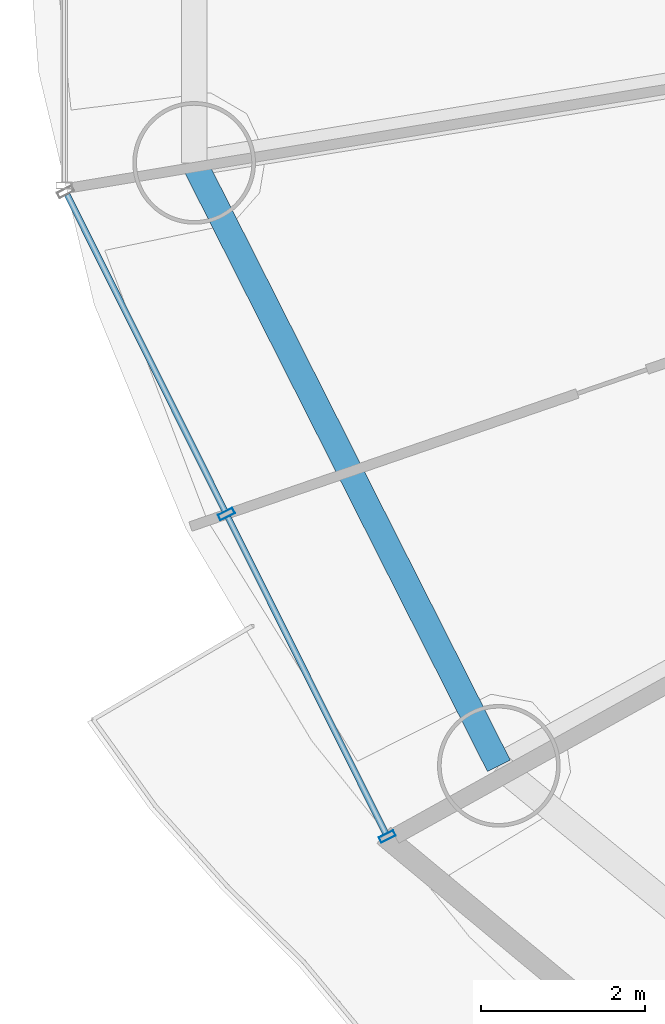
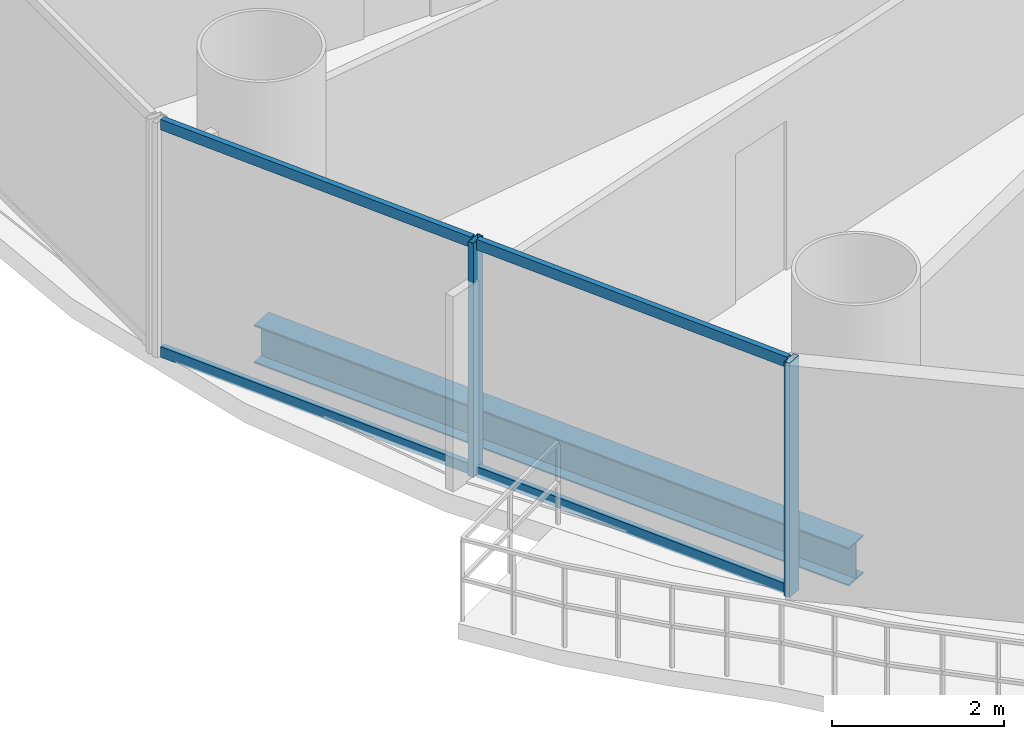
# One storey, part 2 of 28: 6 members, 1 beam, 1 element without a shape of its own.
"""IFC4 building model written with IfcOpenShell, lengths in metres."""

import ifcopenshell
import ifcopenshell.guid

model = None  # the IFC model being written
_history = None  # IfcOwnerHistory: only IFC2X3 demands one
_inside = {}  # id of a spatial element -> (the spatial element, [elements in it])
_under = {}  # id of a project, library or spatial element -> (it, [spatial elements below it])
_declared = {}  # id of a project -> (the project, [libraries it declares])
_typed = {}  # id of a type object -> (the type object, [elements of that type])
_made_of = {}  # id of a material, layer set ... -> (it, [elements and type objects made of it])


def new_model(schema):
    """Start an empty IFC model of exactly this schema.

    Asked for "IFC4X3", IfcOpenShell would pick the latest addendum, in which some entities
    have other attributes; the version numbers below select the first issue.
    IFC2X3 requires an IfcOwnerHistory on every rooted entity: one is made here for all.
    """
    global model, _history
    if schema == "IFC4X3":
        model = ifcopenshell.file(schema_version=(4, 3, 0, 0))
    else:
        model = ifcopenshell.file(schema=schema)
    _inside.clear()
    _under.clear()
    _declared.clear()
    _typed.clear()
    _made_of.clear()
    _history = None
    if model.schema == "IFC2X3":
        org = make("IfcOrganization", Name="unknown")
        user = make(
            "IfcPersonAndOrganization",
            ThePerson=make("IfcPerson", FamilyName="unknown"),
            TheOrganization=org,
        )
        app = make(
            "IfcApplication",
            ApplicationDeveloper=org,
            Version="unknown",
            ApplicationFullName="unknown",
            ApplicationIdentifier="unknown",
        )
        _history = make(
            "IfcOwnerHistory",
            OwningUser=user,
            OwningApplication=app,
            ChangeAction="ADDED",
            CreationDate=0,
        )
    return model


def make(cls, **values):
    """One entity of the class cls with the attributes given. An attribute that is None is left unset."""
    return model.create_entity(
        cls, **{name: value for name, value in values.items() if value is not None}
    )


def rooted(cls, **values):
    """An entity with a GlobalId (a new one), such as an element, a storey or a relation."""
    return make(cls, GlobalId=ifcopenshell.guid.new(), OwnerHistory=_history, **values)


def si_unit(unit_type, name, prefix=None):
    """IfcSIUnit, for example si_unit("LENGTHUNIT", "METRE", prefix="MILLI")."""
    return make("IfcSIUnit", UnitType=unit_type, Prefix=prefix, Name=name)


def assignment(units):
    """IfcUnitAssignment: the units of a project."""
    return None if units is None else make("IfcUnitAssignment", Units=units)


def point(xyz):
    """IfcCartesianPoint."""
    return None if xyz is None else make("IfcCartesianPoint", Coordinates=xyz)


def direction(xyz):
    """IfcDirection."""
    return None if xyz is None else make("IfcDirection", DirectionRatios=xyz)


def frame(location, z_axis=None, x_axis=None):
    """IfcAxis2Placement3D, a coordinate frame: its origin and axes. An axis left out is left unset."""
    return make(
        "IfcAxis2Placement3D",
        Location=point(location),
        Axis=direction(z_axis),
        RefDirection=direction(x_axis),
    )


def frame_2d(location, x_axis=None):
    """IfcAxis2Placement2D, a coordinate frame in the plane: its origin and x axis."""
    return make(
        "IfcAxis2Placement2D", Location=point(location), RefDirection=direction(x_axis)
    )


def origin():
    """The frame at (0, 0, 0) with its axes left unset."""
    return frame((0.0, 0.0, 0.0))


def origin_2d():
    """The frame at (0, 0) in the plane with its x axis left unset."""
    return frame_2d((0.0, 0.0))


def place(relative_to, where):
    """IfcLocalPlacement: puts the frame where relative to a parent placement (None: the world)."""
    return make(
        "IfcLocalPlacement", PlacementRelTo=relative_to, RelativePlacement=where
    )


def context(
    kind, dimensions, precision=None, world=None, true_north=None, identifier=None
):
    """IfcGeometricRepresentationContext, for example the 3D "Model" context."""
    return make(
        "IfcGeometricRepresentationContext",
        ContextIdentifier=identifier,
        ContextType=kind,
        CoordinateSpaceDimension=dimensions,
        Precision=precision,
        WorldCoordinateSystem=world,
        TrueNorth=true_north,
    )


def subcontext(parent, identifier, kind, view, scale=None):
    """IfcGeometricRepresentationSubContext, for example "Body" below "Model"."""
    return make(
        "IfcGeometricRepresentationSubContext",
        ContextIdentifier=identifier,
        ContextType=kind,
        ParentContext=parent,
        TargetScale=scale,
        TargetView=view,
    )


def project(units=None, contexts=None):
    """IfcProject with its units and contexts."""
    return rooted(
        "IfcProject",
        Name="project",
        RepresentationContexts=contexts,
        UnitsInContext=assignment(units),
    )


def spatial(cls, under=None, at=None, **own):
    """A site, building, storey or space (cls), placed at a placement, below another one or the project."""
    s = rooted(cls, ObjectPlacement=at, **own)
    if under is not None:
        _under.setdefault(under.id(), (under, []))[1].append(s)
    return s


def profile(cls, at=None, kind="AREA", **sizes):
    """A parametric profile (cls). Its sizes go by their IFC names, for example OverallWidth=200.0."""
    return make(cls, ProfileType=kind, Position=at, **sizes)


def hollow_rectangle(**sizes):
    """IfcRectangleHollowProfileDef."""
    return profile("IfcRectangleHollowProfileDef", **sizes)


def i_section(**sizes):
    """IfcIShapeProfileDef."""
    return profile("IfcIShapeProfileDef", **sizes)


def extrude(swept, where, along, depth):
    """IfcExtrudedAreaSolid: the profile swept, set in the frame where, extruded along a direction by depth."""
    return make(
        "IfcExtrudedAreaSolid",
        SweptArea=swept,
        Position=where,
        ExtrudedDirection=direction(along),
        Depth=depth,
    )


def shape(context_of_items, identifier, shape_type, items):
    """IfcShapeRepresentation: the items that make up one representation, for example the "Body"."""
    return make(
        "IfcShapeRepresentation",
        ContextOfItems=context_of_items,
        RepresentationIdentifier=identifier,
        RepresentationType=shape_type,
        Items=items,
    )


def source(mapping_origin, context_of_items, identifier, shape_type, items):
    """IfcRepresentationMap: a shape defined once, which mapped items show again and again."""
    return make(
        "IfcRepresentationMap",
        MappingOrigin=mapping_origin,
        MappedRepresentation=shape(context_of_items, identifier, shape_type, items),
    )


def transform(
    local_origin,
    x_axis=None,
    y_axis=None,
    z_axis=None,
    scale=None,
    scale2=None,
    scale3=None,
    uniform=True,
):
    """IfcCartesianTransformationOperator3D, or its non-uniform kind. x_axis, y_axis, z_axis: its Axis1, 2, 3."""
    if uniform:
        return make(
            "IfcCartesianTransformationOperator3D",
            Axis1=direction(x_axis),
            Axis2=direction(y_axis),
            LocalOrigin=point(local_origin),
            Scale=scale,
            Axis3=direction(z_axis),
        )
    return make(
        "IfcCartesianTransformationOperator3DnonUniform",
        Axis1=direction(x_axis),
        Axis2=direction(y_axis),
        LocalOrigin=point(local_origin),
        Scale=scale,
        Axis3=direction(z_axis),
        Scale2=scale2,
        Scale3=scale3,
    )


def mapped(mapping_source, mapping_target):
    """IfcMappedItem: shows the shape of a source again, moved by a transform."""
    return make(
        "IfcMappedItem", MappingSource=mapping_source, MappingTarget=mapping_target
    )


def material(Name=None, Category=None):
    """IfcMaterial."""
    return make("IfcMaterial", Name=Name, Category=Category)


def material_profile(
    of_material, cross_section, Name=None, Category=None, Priority=None
):
    """IfcMaterialProfile: a cross section and its material."""
    return make(
        "IfcMaterialProfile",
        Name=Name,
        Material=of_material,
        Profile=cross_section,
        Priority=Priority,
        Category=Category,
    )


def profile_set(profiles, Name=None, composite=None):
    """IfcMaterialProfileSet."""
    return make(
        "IfcMaterialProfileSet",
        Name=Name,
        MaterialProfiles=profiles,
        CompositeProfile=composite,
    )


def made_of(thing, what):
    """Note that an element or type object is made of a material, layer set ...; save() writes the relation."""
    if what is not None:
        _made_of.setdefault(what.id(), (what, []))[1].append(thing)
    return thing


def type_object(cls, material=None, **own):
    """A type object (cls), such as IfcWallType, which elements share."""
    return made_of(rooted(cls, **own), material)


def element(
    cls,
    number,
    at=None,
    inside=None,
    cuts=None,
    type_object=None,
    material=None,
    context=None,
    identifier="Body",
    shape_type=None,
    held_by="IfcProductDefinitionShape",
    body=None,
    shapes=None,
    **own,
):
    """One element of the class cls, such as IfcWall. Its Tag is "e" and its number.

    at: its placement. inside: the storey or other place that contains it. cuts: it is an
    opening in that element (IfcRelVoidsElement). A single representation is given by context,
    identifier, shape_type and body (its items); several are given by shapes. held_by: the class
    of the entity that holds the representations. save() writes the other relations.
    """
    e = rooted(cls, Tag="e%d" % number, ObjectPlacement=at, **own)
    if body is not None:
        shapes = [shape(context, identifier, shape_type, body)]
    if shapes is not None:
        e.Representation = make(held_by, Representations=shapes)
    if inside is not None:
        _inside.setdefault(inside.id(), (inside, []))[1].append(e)
    if cuts is not None:
        rooted(
            "IfcRelVoidsElement", RelatingBuildingElement=cuts, RelatedOpeningElement=e
        )
    if type_object is not None:
        _typed.setdefault(type_object.id(), (type_object, []))[1].append(e)
    return made_of(e, material)


def aggregate(whole, parts):
    """IfcRelAggregates: a whole, such as a stair, and the parts it consists of."""
    return rooted("IfcRelAggregates", RelatingObject=whole, RelatedObjects=parts)


def save(model, path):
    """Write the relations noted so far, then the file.

    IfcRelAggregates (storeys below a building ...), IfcRelContainedInSpatialStructure (elements
    in a storey), IfcRelDefinesByType, IfcRelAssociatesMaterial and IfcRelDeclares: one each for
    every whole, place, type object, material and project.
    """
    for whole, parts in _under.values():
        aggregate(whole, parts)
    for where, things in _inside.values():
        rooted(
            "IfcRelContainedInSpatialStructure",
            RelatedElements=things,
            RelatingStructure=where,
        )
    for kind, things in _typed.values():
        rooted("IfcRelDefinesByType", RelatedObjects=things, RelatingType=kind)
    for what, things in _made_of.values():
        rooted("IfcRelAssociatesMaterial", RelatedObjects=things, RelatingMaterial=what)
    for by, libraries in _declared.values():
        rooted("IfcRelDeclares", RelatingContext=by, RelatedDefinitions=libraries)
    model.write(path)


model = new_model("IFC4")

# Units and contexts
model_context = context("Model", 3, precision=1e-05, world=origin(), true_north=direction((-0.2419218956, 0.970295726276)))
body_context = subcontext(model_context, "Body", "Model", "MODEL_VIEW")
ifc_project = project(units=[si_unit("LENGTHUNIT", "METRE"), si_unit("AREAUNIT", "SQUARE_METRE"), si_unit("VOLUMEUNIT", "CUBIC_METRE"), si_unit("PLANEANGLEUNIT", "RADIAN"), si_unit("MASSUNIT", "GRAM", prefix="KILO")], contexts=[model_context])

# Site, building, storey
site_placement = place(None, origin())
site = spatial("IfcSite", under=ifc_project, at=site_placement, CompositionType="ELEMENT")
building_placement = place(site_placement, origin())
building = spatial("IfcBuilding", under=site, at=building_placement, Name="Cobrevalo Terracotta Tower", CompositionType="ELEMENT")
storey_placement = place(building_placement, frame((0.0, 0.0, 105.0)))
storey = spatial("IfcBuildingStorey", under=building, at=storey_placement, Name="L27", CompositionType="ELEMENT", Elevation=105.0)

# Beam
ifc_material_1 = material(Name="Steel S355", Category="steel")
ifc_material_profile_1 = material_profile(ifc_material_1, i_section(OverallWidth=0.31201171875, OverallDepth=0.54296875, WebThickness=0.0126953125, FlangeThickness=0.020263671875, at=origin_2d()), Name="W 530x150")
ifc_profile_set_1 = profile_set([ifc_material_profile_1], Name="Steel S355")
beam_type = type_object("IfcBeamType", Name="Structural Spandrel W 530x150 (Steel S355)", PredefinedType="SPANDREL", material=ifc_profile_set_1)
beam_placement = place(storey_placement, frame((13.529296875, 22.810302734375, -0.54638671875), z_axis=(0.451051982172, -0.892497680321, 0.0), x_axis=(0.892497680321, 0.451051982172, 0.0)))
element("IfcBeam", 1, at=beam_placement, inside=storey, type_object=beam_type, Name="L27 perimeter ring spandrel 09", PredefinedType="SPANDREL", context=body_context, shape_type="SweptSolid", body=[
    extrude(i_section(OverallWidth=0.31201171875, OverallDepth=0.54296875, WebThickness=0.0126953125, FlangeThickness=0.020263671875, at=origin_2d()), origin(), (0.0, 0.0, 1.0), 8.259765625),
])

# Curtain wall, members
ifc_material_2 = material(Name="Anodized aluminium", Category="aluminium")
curtain_wall_type = type_object("IfcCurtainWallType", Name="Lower-tower unitised acoustic low-E curtain wall CW-U1", PredefinedType="NOTDEFINED", material=ifc_material_2)
curtain_wall_placement = place(storey_placement, origin())
curtain_wall = element("IfcCurtainWall", 2, at=curtain_wall_placement, inside=storey, type_object=curtain_wall_type, Name="L27 curtain wall CW-L27-S09", PredefinedType="NOTDEFINED")
ifc_material_profile_2 = material_profile(ifc_material_2, hollow_rectangle(XDim=0.074951171875, YDim=0.199951171875, WallThickness=0.0048828125, at=origin_2d()), Name="CWM 75x200")
ifc_profile_set_2 = profile_set([ifc_material_profile_2], Name="Anodized aluminium")
member_type_1 = type_object("IfcMemberType", Name="Lower/mid tower unitised mullion 75x200", PredefinedType="MULLION", material=ifc_profile_set_2)
shared_shape_1 = source(origin(), body_context, "Body", "SweptSolid", [
    extrude(hollow_rectangle(XDim=0.074951171875, YDim=0.199951171875, WallThickness=0.0048828125, at=origin_2d()), origin(), (0.0, 0.0, 1.0), 3.324951171875),
])
member_1_placement = place(storey_placement, frame((13.924072265625, 18.516357421875, 0.0), z_axis=(0.0, 0.0, 1.0), x_axis=(0.446260290227, -0.894903208937, 0.0)))
member_1 = element("IfcMember", 3, at=member_1_placement, type_object=member_type_1, Name="CW-L27-S09 vertical mullion 02", PredefinedType="MULLION", context=body_context, shape_type="MappedRepresentation", body=[
    mapped(shared_shape_1, transform((0.0, 0.0, 0.0), scale=1.0)),
])
member_2_placement = place(storey_placement, frame((15.889892578125, 14.574462890625, 0.0), z_axis=(0.0, 0.0, 1.0), x_axis=(0.446260290227, -0.894903208937, 0.0)))
member_2 = element("IfcMember", 4, at=member_2_placement, type_object=member_type_1, Name="CW-L27-S09 vertical mullion 03", PredefinedType="MULLION", context=body_context, shape_type="MappedRepresentation", body=[
    mapped(shared_shape_1, transform((0.0, 0.0, 0.0), scale=1.0)),
])
ifc_material_profile_3 = material_profile(ifc_material_2, hollow_rectangle(XDim=0.074951171875, YDim=0.14990234375, WallThickness=0.00439453125, at=origin_2d()), Name="CWT 75x150")
ifc_profile_set_3 = profile_set([ifc_material_profile_3], Name="Anodized aluminium")
member_type_2 = type_object("IfcMemberType", Name="Tower unitised aluminium transom 75x150", PredefinedType="USERDEFINED", material=ifc_profile_set_3)
shared_shape_2 = source(origin(), body_context, "Body", "SweptSolid", [
    extrude(hollow_rectangle(XDim=0.074951171875, YDim=0.14990234375, WallThickness=0.00439453125, at=origin_2d()), origin(), (0.0, 0.0, 1.0), 4.324951171875),
])
member_3_placement = place(storey_placement, frame((11.976318359375, 22.4228515625, 0.050048828125), z_axis=(0.446219838389, -0.894923379864, 0.0), x_axis=(0.894923379864, 0.446219838389, 0.0)))
member_3 = element("IfcMember", 5, at=member_3_placement, type_object=member_type_2, Name="CW-L27-S09 transom B01-T1", ObjectType="TRANSOM", PredefinedType="USERDEFINED", context=body_context, shape_type="MappedRepresentation", body=[
    mapped(shared_shape_2, transform((0.0, 0.0, 0.0), scale=1.0)),
])
member_4_placement = place(storey_placement, frame((11.976318359375, 22.4228515625, 3.27490234375), z_axis=(0.446219838389, -0.894923379864, 0.0), x_axis=(0.894923379864, 0.446219838389, 0.0)))
member_4 = element("IfcMember", 6, at=member_4_placement, type_object=member_type_2, Name="CW-L27-S09 transom B01-T2", ObjectType="TRANSOM", PredefinedType="USERDEFINED", context=body_context, shape_type="MappedRepresentation", body=[
    mapped(shared_shape_2, transform((0.0, 0.0, 0.0), scale=1.0)),
])
member_5_placement = place(storey_placement, frame((13.942138671875, 18.480712890625, 0.050048828125), z_axis=(0.446219838389, -0.894923379864, 0.0), x_axis=(0.894923379864, 0.446219838389, 0.0)))
member_5 = element("IfcMember", 7, at=member_5_placement, type_object=member_type_2, Name="CW-L27-S09 transom B02-T1", ObjectType="TRANSOM", PredefinedType="USERDEFINED", context=body_context, shape_type="MappedRepresentation", body=[
    mapped(shared_shape_2, transform((0.0, 0.0, 0.0), scale=1.0)),
])
member_6_placement = place(storey_placement, frame((13.942138671875, 18.480712890625, 3.27490234375), z_axis=(0.446219838389, -0.894923379864, 0.0), x_axis=(0.894923379864, 0.446219838389, 0.0)))
member_6 = element("IfcMember", 8, at=member_6_placement, type_object=member_type_2, Name="CW-L27-S09 transom B02-T2", ObjectType="TRANSOM", PredefinedType="USERDEFINED", context=body_context, shape_type="MappedRepresentation", body=[
    mapped(shared_shape_2, transform((0.0, 0.0, 0.0), scale=1.0)),
])
aggregate(curtain_wall, [member_1, member_2, member_3, member_4, member_5, member_6])

save(model, "model.ifc")
